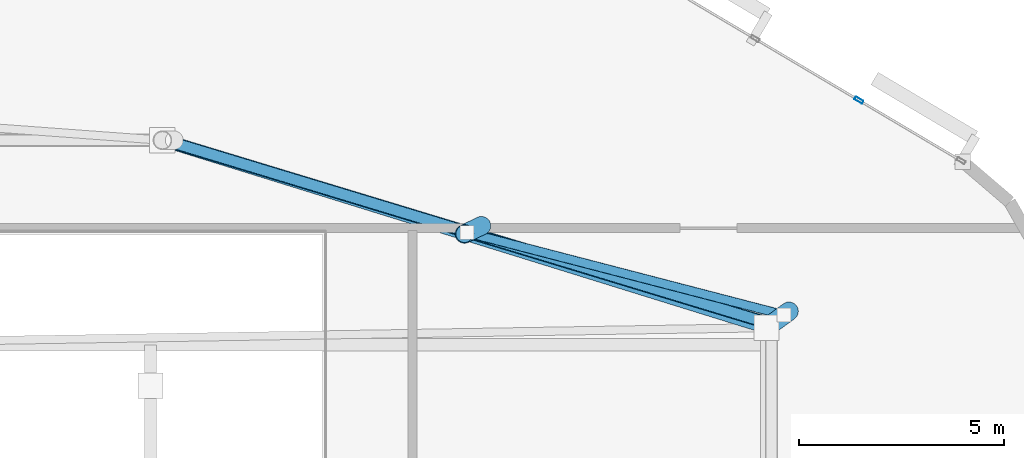
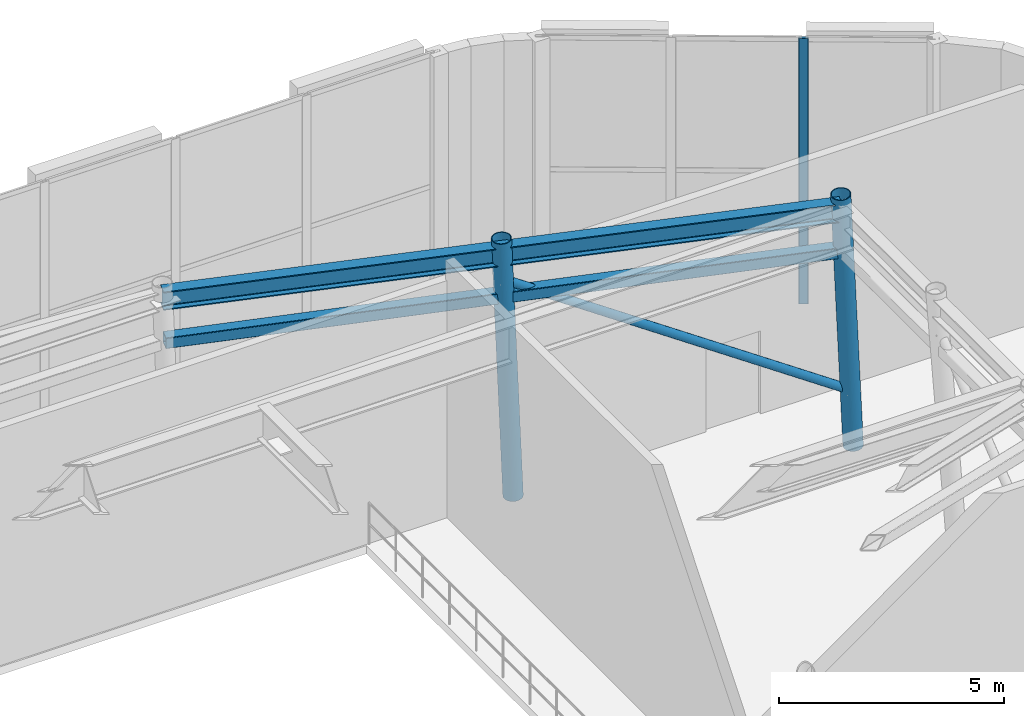
# One storey, part 13 of 20: 5 members, 1 beam, 1 element without a shape of its own.
"""IFC4 building model written with IfcOpenShell, lengths in metres."""

import ifcopenshell
import ifcopenshell.guid

model = None  # the IFC model being written
_history = None  # IfcOwnerHistory: only IFC2X3 demands one
_inside = {}  # id of a spatial element -> (the spatial element, [elements in it])
_under = {}  # id of a project, library or spatial element -> (it, [spatial elements below it])
_declared = {}  # id of a project -> (the project, [libraries it declares])
_typed = {}  # id of a type object -> (the type object, [elements of that type])
_made_of = {}  # id of a material, layer set ... -> (it, [elements and type objects made of it])


def new_model(schema):
    """Start an empty IFC model of exactly this schema.

    Asked for "IFC4X3", IfcOpenShell would pick the latest addendum, in which some entities
    have other attributes; the version numbers below select the first issue.
    IFC2X3 requires an IfcOwnerHistory on every rooted entity: one is made here for all.
    """
    global model, _history
    if schema == "IFC4X3":
        model = ifcopenshell.file(schema_version=(4, 3, 0, 0))
    else:
        model = ifcopenshell.file(schema=schema)
    _inside.clear()
    _under.clear()
    _declared.clear()
    _typed.clear()
    _made_of.clear()
    _history = None
    if model.schema == "IFC2X3":
        org = make("IfcOrganization", Name="unknown")
        user = make(
            "IfcPersonAndOrganization",
            ThePerson=make("IfcPerson", FamilyName="unknown"),
            TheOrganization=org,
        )
        app = make(
            "IfcApplication",
            ApplicationDeveloper=org,
            Version="unknown",
            ApplicationFullName="unknown",
            ApplicationIdentifier="unknown",
        )
        _history = make(
            "IfcOwnerHistory",
            OwningUser=user,
            OwningApplication=app,
            ChangeAction="ADDED",
            CreationDate=0,
        )
    return model


def make(cls, **values):
    """One entity of the class cls with the attributes given. An attribute that is None is left unset."""
    return model.create_entity(
        cls, **{name: value for name, value in values.items() if value is not None}
    )


def rooted(cls, **values):
    """An entity with a GlobalId (a new one), such as an element, a storey or a relation."""
    return make(cls, GlobalId=ifcopenshell.guid.new(), OwnerHistory=_history, **values)


def si_unit(unit_type, name, prefix=None):
    """IfcSIUnit, for example si_unit("LENGTHUNIT", "METRE", prefix="MILLI")."""
    return make("IfcSIUnit", UnitType=unit_type, Prefix=prefix, Name=name)


def assignment(units):
    """IfcUnitAssignment: the units of a project."""
    return None if units is None else make("IfcUnitAssignment", Units=units)


def point(xyz):
    """IfcCartesianPoint."""
    return None if xyz is None else make("IfcCartesianPoint", Coordinates=xyz)


def direction(xyz):
    """IfcDirection."""
    return None if xyz is None else make("IfcDirection", DirectionRatios=xyz)


def frame(location, z_axis=None, x_axis=None):
    """IfcAxis2Placement3D, a coordinate frame: its origin and axes. An axis left out is left unset."""
    return make(
        "IfcAxis2Placement3D",
        Location=point(location),
        Axis=direction(z_axis),
        RefDirection=direction(x_axis),
    )


def frame_2d(location, x_axis=None):
    """IfcAxis2Placement2D, a coordinate frame in the plane: its origin and x axis."""
    return make(
        "IfcAxis2Placement2D", Location=point(location), RefDirection=direction(x_axis)
    )


def origin():
    """The frame at (0, 0, 0) with its axes left unset."""
    return frame((0.0, 0.0, 0.0))


def origin_2d():
    """The frame at (0, 0) in the plane with its x axis left unset."""
    return frame_2d((0.0, 0.0))


def place(relative_to, where):
    """IfcLocalPlacement: puts the frame where relative to a parent placement (None: the world)."""
    return make(
        "IfcLocalPlacement", PlacementRelTo=relative_to, RelativePlacement=where
    )


def context(
    kind, dimensions, precision=None, world=None, true_north=None, identifier=None
):
    """IfcGeometricRepresentationContext, for example the 3D "Model" context."""
    return make(
        "IfcGeometricRepresentationContext",
        ContextIdentifier=identifier,
        ContextType=kind,
        CoordinateSpaceDimension=dimensions,
        Precision=precision,
        WorldCoordinateSystem=world,
        TrueNorth=true_north,
    )


def subcontext(parent, identifier, kind, view, scale=None):
    """IfcGeometricRepresentationSubContext, for example "Body" below "Model"."""
    return make(
        "IfcGeometricRepresentationSubContext",
        ContextIdentifier=identifier,
        ContextType=kind,
        ParentContext=parent,
        TargetScale=scale,
        TargetView=view,
    )


def project(units=None, contexts=None):
    """IfcProject with its units and contexts."""
    return rooted(
        "IfcProject",
        Name="project",
        RepresentationContexts=contexts,
        UnitsInContext=assignment(units),
    )


def spatial(cls, under=None, at=None, **own):
    """A site, building, storey or space (cls), placed at a placement, below another one or the project."""
    s = rooted(cls, ObjectPlacement=at, **own)
    if under is not None:
        _under.setdefault(under.id(), (under, []))[1].append(s)
    return s


def profile(cls, at=None, kind="AREA", **sizes):
    """A parametric profile (cls). Its sizes go by their IFC names, for example OverallWidth=200.0."""
    return make(cls, ProfileType=kind, Position=at, **sizes)


def hollow_rectangle(**sizes):
    """IfcRectangleHollowProfileDef."""
    return profile("IfcRectangleHollowProfileDef", **sizes)


def hollow_circle(**sizes):
    """IfcCircleHollowProfileDef."""
    return profile("IfcCircleHollowProfileDef", **sizes)


def i_section(**sizes):
    """IfcIShapeProfileDef."""
    return profile("IfcIShapeProfileDef", **sizes)


def extrude(swept, where, along, depth):
    """IfcExtrudedAreaSolid: the profile swept, set in the frame where, extruded along a direction by depth."""
    return make(
        "IfcExtrudedAreaSolid",
        SweptArea=swept,
        Position=where,
        ExtrudedDirection=direction(along),
        Depth=depth,
    )


def shape(context_of_items, identifier, shape_type, items):
    """IfcShapeRepresentation: the items that make up one representation, for example the "Body"."""
    return make(
        "IfcShapeRepresentation",
        ContextOfItems=context_of_items,
        RepresentationIdentifier=identifier,
        RepresentationType=shape_type,
        Items=items,
    )


def material(Name=None, Category=None):
    """IfcMaterial."""
    return make("IfcMaterial", Name=Name, Category=Category)


def layer(
    of_material, thickness, ventilated=None, Name=None, Category=None, Priority=None
):
    """IfcMaterialLayer: one layer of a wall or slab, of a material (None: an air gap)."""
    return make(
        "IfcMaterialLayer",
        Material=of_material,
        LayerThickness=thickness,
        IsVentilated=ventilated,
        Name=Name,
        Category=Category,
        Priority=Priority,
    )


def layer_set(layers, Name=None):
    """IfcMaterialLayerSet."""
    return make("IfcMaterialLayerSet", MaterialLayers=layers, LayerSetName=Name)


def material_profile(
    of_material, cross_section, Name=None, Category=None, Priority=None
):
    """IfcMaterialProfile: a cross section and its material."""
    return make(
        "IfcMaterialProfile",
        Name=Name,
        Material=of_material,
        Profile=cross_section,
        Priority=Priority,
        Category=Category,
    )


def profile_set(profiles, Name=None, composite=None):
    """IfcMaterialProfileSet."""
    return make(
        "IfcMaterialProfileSet",
        Name=Name,
        MaterialProfiles=profiles,
        CompositeProfile=composite,
    )


def made_of(thing, what):
    """Note that an element or type object is made of a material, layer set ...; save() writes the relation."""
    if what is not None:
        _made_of.setdefault(what.id(), (what, []))[1].append(thing)
    return thing


def type_object(cls, material=None, **own):
    """A type object (cls), such as IfcWallType, which elements share."""
    return made_of(rooted(cls, **own), material)


def element(
    cls,
    number,
    at=None,
    inside=None,
    cuts=None,
    type_object=None,
    material=None,
    context=None,
    identifier="Body",
    shape_type=None,
    held_by="IfcProductDefinitionShape",
    body=None,
    shapes=None,
    **own,
):
    """One element of the class cls, such as IfcWall. Its Tag is "e" and its number.

    at: its placement. inside: the storey or other place that contains it. cuts: it is an
    opening in that element (IfcRelVoidsElement). A single representation is given by context,
    identifier, shape_type and body (its items); several are given by shapes. held_by: the class
    of the entity that holds the representations. save() writes the other relations.
    """
    e = rooted(cls, Tag="e%d" % number, ObjectPlacement=at, **own)
    if body is not None:
        shapes = [shape(context, identifier, shape_type, body)]
    if shapes is not None:
        e.Representation = make(held_by, Representations=shapes)
    if inside is not None:
        _inside.setdefault(inside.id(), (inside, []))[1].append(e)
    if cuts is not None:
        rooted(
            "IfcRelVoidsElement", RelatingBuildingElement=cuts, RelatedOpeningElement=e
        )
    if type_object is not None:
        _typed.setdefault(type_object.id(), (type_object, []))[1].append(e)
    return made_of(e, material)


def aggregate(whole, parts):
    """IfcRelAggregates: a whole, such as a stair, and the parts it consists of."""
    return rooted("IfcRelAggregates", RelatingObject=whole, RelatedObjects=parts)


def save(model, path):
    """Write the relations noted so far, then the file.

    IfcRelAggregates (storeys below a building ...), IfcRelContainedInSpatialStructure (elements
    in a storey), IfcRelDefinesByType, IfcRelAssociatesMaterial and IfcRelDeclares: one each for
    every whole, place, type object, material and project.
    """
    for whole, parts in _under.values():
        aggregate(whole, parts)
    for where, things in _inside.values():
        rooted(
            "IfcRelContainedInSpatialStructure",
            RelatedElements=things,
            RelatingStructure=where,
        )
    for kind, things in _typed.values():
        rooted("IfcRelDefinesByType", RelatedObjects=things, RelatingType=kind)
    for what, things in _made_of.values():
        rooted("IfcRelAssociatesMaterial", RelatedObjects=things, RelatingMaterial=what)
    for by, libraries in _declared.values():
        rooted("IfcRelDeclares", RelatingContext=by, RelatedDefinitions=libraries)
    model.write(path)


model = new_model("IFC4")

# Units and contexts
model_context = context("Model", 3, precision=1e-05, world=origin(), true_north=direction((0.0, 1.0)))
body_context = subcontext(model_context, "Body", "Model", "MODEL_VIEW")
ifc_project = project(units=[si_unit("LENGTHUNIT", "METRE"), si_unit("AREAUNIT", "SQUARE_METRE"), si_unit("VOLUMEUNIT", "CUBIC_METRE"), si_unit("PLANEANGLEUNIT", "RADIAN"), si_unit("MASSUNIT", "GRAM", prefix="KILO")], contexts=[model_context])

# Site, building, storey
site_placement = place(None, origin())
site = spatial("IfcSite", under=ifc_project, at=site_placement, CompositionType="ELEMENT")
building_placement = place(site_placement, origin())
building = spatial("IfcBuilding", under=site, at=building_placement, Name="An Khanh Terracotta Commons", CompositionType="ELEMENT")
storey_placement = place(building_placement, frame((0.0, 0.0, 308.0)))
storey = spatial("IfcBuildingStorey", under=building, at=storey_placement, Name="L79 Crown Damper Gallery", CompositionType="ELEMENT", Elevation=308.0)

# Beam
ifc_material_1 = material(Name="Steel S355J2", Category="steel")
ifc_material_profile_1 = material_profile(ifc_material_1, i_section(OverallWidth=0.300048828125, OverallDepth=0.5, WebThickness=0.014404296875, FlangeThickness=0.028076171875, FilletRadius=0.027099609375, at=origin_2d()), Name="HEB500")
ifc_profile_set_1 = profile_set([ifc_material_profile_1], Name="Steel S355J2")
beam_type = type_object("IfcBeamType", Name="BM-HEB500", PredefinedType="BEAM", material=ifc_profile_set_1)
beam_placement = place(storey_placement, frame((62.85009765625, 28.219970703125, 6.699951171875), z_axis=(-0.955075393196, 0.296362941865, 0.0), x_axis=(-0.296362941865, -0.955075393196, 0.0)))
element("IfcBeam", 1, at=beam_placement, inside=storey, type_object=beam_type, Name="L79 Crown Damper Gallery CROWN FRAME Ring Beam 4", PredefinedType="BEAM", context=body_context, shape_type="SweptSolid", body=[
    extrude(i_section(OverallWidth=0.300048828125, OverallDepth=0.5, WebThickness=0.014404296875, FlangeThickness=0.028076171875, FilletRadius=0.027099609375, at=origin_2d()), origin(), (0.0, 0.0, 1.0), 15.454345703125),
])

# Members
ifc_material_2 = material(Name="Steel S460ML", Category="steel")
ifc_material_profile_2 = material_profile(ifc_material_2, hollow_circle(Radius=0.109619140625, WallThickness=0.010009765625, at=origin_2d()), Name="CHS219.1x10")
ifc_profile_set_2 = profile_set([ifc_material_profile_2], Name="Steel S460ML")
member_type_1 = type_object("IfcMemberType", Name="CROWN FRAME BRACE CHS219", PredefinedType="BRACE", material=ifc_profile_set_2)
member_1_placement = place(storey_placement, frame((63.279052734375, 28.531982421875, 1.472900390625), z_axis=(-0.844105310441, 0.219117133966, 0.48936071204), x_axis=(-0.251257641681, -0.967920243355, 0.0)))
element("IfcMember", 2, at=member_1_placement, inside=storey, type_object=member_type_1, Name="L79 Crown Damper Gallery CROWN FRAME Wind Diagonal 4", PredefinedType="BRACE", context=body_context, shape_type="SweptSolid", body=[
    extrude(hollow_circle(Radius=0.109619140625, WallThickness=0.010009765625, at=origin_2d()), origin(), (0.0, 0.0, 1.0), 9.17333984375),
])
ifc_material_profile_3 = material_profile(ifc_material_2, hollow_circle(Radius=0.228515625, WallThickness=0.02001953125, at=origin_2d()), Name="CHS457x20")
ifc_profile_set_3 = profile_set([ifc_material_profile_3], Name="Steel S460ML")
member_type_2 = type_object("IfcMemberType", Name="CROWN FRAME RIB CHS457", PredefinedType="STRUT", material=ifc_profile_set_3)
member_2_placement = place(storey_placement, frame((63.39990234375, 28.6201171875, -0.1201171875), z_axis=(-0.0756046956, -0.055024909453, 0.995618495882), x_axis=(0.588449183066, -0.808534203945, 0.0)))
element("IfcMember", 3, at=member_2_placement, inside=storey, type_object=member_type_2, Name="L79 Crown Damper Gallery CROWN FRAME Corner Raking Rib 4", PredefinedType="STRUT", context=body_context, shape_type="SweptSolid", body=[
    extrude(hollow_circle(Radius=0.228515625, WallThickness=0.02001953125, at=origin_2d()), origin(), (0.0, 0.0, 1.0), 7.272216796875),
])
member_3_placement = place(storey_placement, frame((55.885009765625, 30.7099609375, -0.1201171875), z_axis=(-0.057208288487, -0.027560934277, 0.997981766682), x_axis=(0.434022745113, -0.900901912932, 0.0)))
element("IfcMember", 4, at=member_3_placement, inside=storey, type_object=member_type_2, Name="L79 Crown Damper Gallery CROWN FRAME Facet Strut 4", PredefinedType="STRUT", context=body_context, shape_type="SweptSolid", body=[
    extrude(hollow_circle(Radius=0.228515625, WallThickness=0.02001953125, at=origin_2d()), origin(), (0.0, 0.0, 1.0), 7.2548828125),
])
ifc_material_profile_4 = material_profile(ifc_material_2, hollow_rectangle(XDim=0.300048828125, YDim=0.300048828125, WallThickness=0.01611328125, InnerFilletRadius=0.01611328125, OuterFilletRadius=0.031982421875, at=origin_2d()), Name="SHS300x300x16")
ifc_profile_set_4 = profile_set([ifc_material_profile_4], Name="Steel S460ML")
member_type_3 = type_object("IfcMemberType", Name="CROWN FRAME RING SHS300", PredefinedType="CHORD", material=ifc_profile_set_4)
member_4_placement = place(storey_placement, frame((62.970947265625, 28.30810546875, 5.527099609375), z_axis=(-0.95699960405, 0.290089223943, 0.0), x_axis=(-0.290089223943, -0.95699960405, 0.0)))
element("IfcMember", 5, at=member_4_placement, inside=storey, type_object=member_type_3, Name="L79 Crown Damper Gallery CROWN FRAME Sill Ring Chord 4", PredefinedType="CHORD", context=body_context, shape_type="SweptSolid", body=[
    extrude(hollow_rectangle(XDim=0.300048828125, YDim=0.300048828125, WallThickness=0.01611328125, InnerFilletRadius=0.01611328125, OuterFilletRadius=0.031982421875, at=origin_2d()), origin(), (0.0, 0.0, 1.0), 15.484619140625),
])

# Curtain wall, member
ifc_material_3 = material(Name="Anodised Aluminium 6063-T6", Category="aluminium")
ifc_layer = layer(ifc_material_3, 0.25, Name="Anodised Aluminium 6063-T6")
ifc_layer_set = layer_set([ifc_layer], Name="Anodised Aluminium 6063-T6")
curtain_wall_type = type_object("IfcCurtainWallType", Name="CW-SYS-05", PredefinedType="USERDEFINED", material=ifc_layer_set)
curtain_wall_placement = place(storey_placement, origin())
curtain_wall = element("IfcCurtainWall", 6, at=curtain_wall_placement, inside=storey, type_object=curtain_wall_type, Name="L79 Crown Damper Gallery CW-05 Unitised Curtain Wall CW-L79-16", ObjectType="UNITISED CURTAIN WALL", PredefinedType="USERDEFINED")
ifc_material_profile_5 = material_profile(ifc_material_3, hollow_rectangle(XDim=0.080078125, YDim=0.219970703125, WallThickness=0.0048828125, InnerFilletRadius=0.0048828125, OuterFilletRadius=0.010009765625, at=origin_2d()), Name="RHS220x80x5")
ifc_profile_set_5 = profile_set([ifc_material_profile_5], Name="Anodised Aluminium 6063-T6")
member_type_4 = type_object("IfcMemberType", Name="CWM-RHS220x80x5", PredefinedType="MULLION", material=ifc_profile_set_5)
member_5_placement = place(storey_placement, frame((65.107666015625, 33.7802734375, 0.0), z_axis=(0.0, 0.0, 1.0), x_axis=(-0.509780687063, -0.860304394443, 0.0)))
member_5 = element("IfcMember", 7, at=member_5_placement, type_object=member_type_4, Name="CW-05 mullion 2", PredefinedType="MULLION", context=body_context, shape_type="SweptSolid", body=[
    extrude(hollow_rectangle(XDim=0.080078125, YDim=0.219970703125, WallThickness=0.0048828125, InnerFilletRadius=0.0048828125, OuterFilletRadius=0.010009765625, at=origin_2d()), origin(), (0.0, 0.0, 1.0), 7.199951171875),
])
aggregate(curtain_wall, [member_5])

save(model, "model.ifc")
